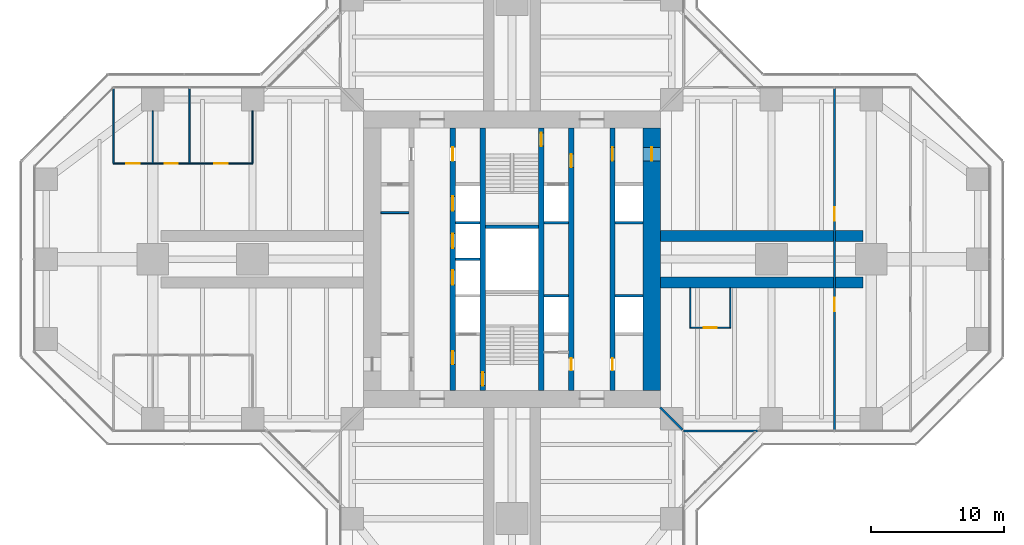
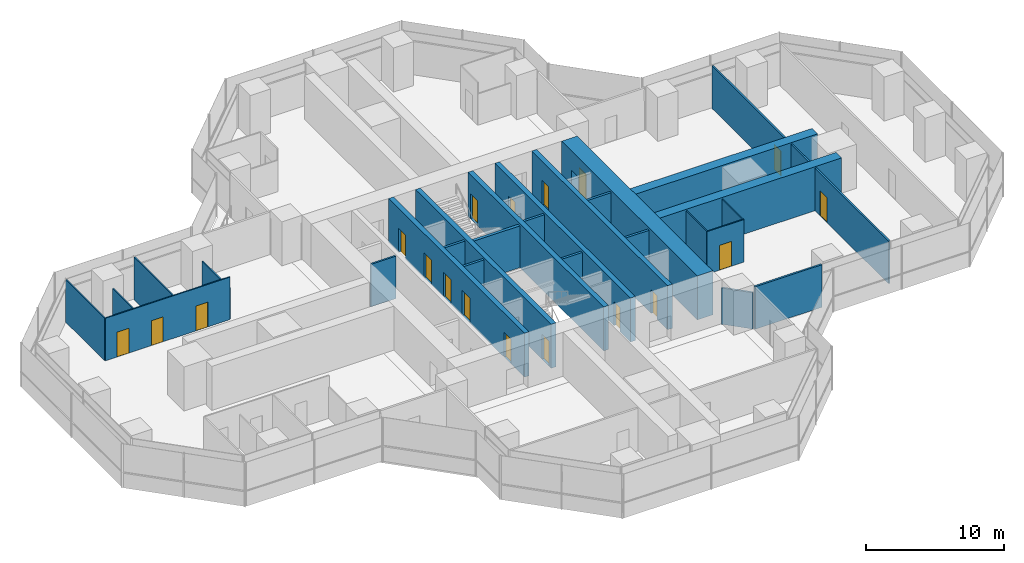
# One storey, part 16 of 20: 27 walls, 18 doors, 18 openings.
"""IFC4 building model written with IfcOpenShell, lengths in metres."""

import ifcopenshell
import ifcopenshell.guid

model = None  # the IFC model being written
_history = None  # IfcOwnerHistory: only IFC2X3 demands one
_inside = {}  # id of a spatial element -> (the spatial element, [elements in it])
_under = {}  # id of a project, library or spatial element -> (it, [spatial elements below it])
_declared = {}  # id of a project -> (the project, [libraries it declares])
_typed = {}  # id of a type object -> (the type object, [elements of that type])
_made_of = {}  # id of a material, layer set ... -> (it, [elements and type objects made of it])


def new_model(schema):
    """Start an empty IFC model of exactly this schema.

    Asked for "IFC4X3", IfcOpenShell would pick the latest addendum, in which some entities
    have other attributes; the version numbers below select the first issue.
    IFC2X3 requires an IfcOwnerHistory on every rooted entity: one is made here for all.
    """
    global model, _history
    if schema == "IFC4X3":
        model = ifcopenshell.file(schema_version=(4, 3, 0, 0))
    else:
        model = ifcopenshell.file(schema=schema)
    _inside.clear()
    _under.clear()
    _declared.clear()
    _typed.clear()
    _made_of.clear()
    _history = None
    if model.schema == "IFC2X3":
        org = make("IfcOrganization", Name="unknown")
        user = make(
            "IfcPersonAndOrganization",
            ThePerson=make("IfcPerson", FamilyName="unknown"),
            TheOrganization=org,
        )
        app = make(
            "IfcApplication",
            ApplicationDeveloper=org,
            Version="unknown",
            ApplicationFullName="unknown",
            ApplicationIdentifier="unknown",
        )
        _history = make(
            "IfcOwnerHistory",
            OwningUser=user,
            OwningApplication=app,
            ChangeAction="ADDED",
            CreationDate=0,
        )
    return model


def make(cls, **values):
    """One entity of the class cls with the attributes given. An attribute that is None is left unset."""
    return model.create_entity(
        cls, **{name: value for name, value in values.items() if value is not None}
    )


def rooted(cls, **values):
    """An entity with a GlobalId (a new one), such as an element, a storey or a relation."""
    return make(cls, GlobalId=ifcopenshell.guid.new(), OwnerHistory=_history, **values)


def si_unit(unit_type, name, prefix=None):
    """IfcSIUnit, for example si_unit("LENGTHUNIT", "METRE", prefix="MILLI")."""
    return make("IfcSIUnit", UnitType=unit_type, Prefix=prefix, Name=name)


def assignment(units):
    """IfcUnitAssignment: the units of a project."""
    return None if units is None else make("IfcUnitAssignment", Units=units)


def point(xyz):
    """IfcCartesianPoint."""
    return None if xyz is None else make("IfcCartesianPoint", Coordinates=xyz)


def direction(xyz):
    """IfcDirection."""
    return None if xyz is None else make("IfcDirection", DirectionRatios=xyz)


def frame(location, z_axis=None, x_axis=None):
    """IfcAxis2Placement3D, a coordinate frame: its origin and axes. An axis left out is left unset."""
    return make(
        "IfcAxis2Placement3D",
        Location=point(location),
        Axis=direction(z_axis),
        RefDirection=direction(x_axis),
    )


def frame_2d(location, x_axis=None):
    """IfcAxis2Placement2D, a coordinate frame in the plane: its origin and x axis."""
    return make(
        "IfcAxis2Placement2D", Location=point(location), RefDirection=direction(x_axis)
    )


def origin():
    """The frame at (0, 0, 0) with its axes left unset."""
    return frame((0.0, 0.0, 0.0))


def place(relative_to, where):
    """IfcLocalPlacement: puts the frame where relative to a parent placement (None: the world)."""
    return make(
        "IfcLocalPlacement", PlacementRelTo=relative_to, RelativePlacement=where
    )


def context(
    kind, dimensions, precision=None, world=None, true_north=None, identifier=None
):
    """IfcGeometricRepresentationContext, for example the 3D "Model" context."""
    return make(
        "IfcGeometricRepresentationContext",
        ContextIdentifier=identifier,
        ContextType=kind,
        CoordinateSpaceDimension=dimensions,
        Precision=precision,
        WorldCoordinateSystem=world,
        TrueNorth=true_north,
    )


def subcontext(parent, identifier, kind, view, scale=None):
    """IfcGeometricRepresentationSubContext, for example "Body" below "Model"."""
    return make(
        "IfcGeometricRepresentationSubContext",
        ContextIdentifier=identifier,
        ContextType=kind,
        ParentContext=parent,
        TargetScale=scale,
        TargetView=view,
    )


def project(units=None, contexts=None):
    """IfcProject with its units and contexts."""
    return rooted(
        "IfcProject",
        Name="project",
        RepresentationContexts=contexts,
        UnitsInContext=assignment(units),
    )


def spatial(cls, under=None, at=None, **own):
    """A site, building, storey or space (cls), placed at a placement, below another one or the project."""
    s = rooted(cls, ObjectPlacement=at, **own)
    if under is not None:
        _under.setdefault(under.id(), (under, []))[1].append(s)
    return s


def profile(cls, at=None, kind="AREA", **sizes):
    """A parametric profile (cls). Its sizes go by their IFC names, for example OverallWidth=200.0."""
    return make(cls, ProfileType=kind, Position=at, **sizes)


def rectangle(**sizes):
    """IfcRectangleProfileDef."""
    return profile("IfcRectangleProfileDef", **sizes)


def extrude(swept, where, along, depth):
    """IfcExtrudedAreaSolid: the profile swept, set in the frame where, extruded along a direction by depth."""
    return make(
        "IfcExtrudedAreaSolid",
        SweptArea=swept,
        Position=where,
        ExtrudedDirection=direction(along),
        Depth=depth,
    )


def shape(context_of_items, identifier, shape_type, items):
    """IfcShapeRepresentation: the items that make up one representation, for example the "Body"."""
    return make(
        "IfcShapeRepresentation",
        ContextOfItems=context_of_items,
        RepresentationIdentifier=identifier,
        RepresentationType=shape_type,
        Items=items,
    )


def material(Name=None, Category=None):
    """IfcMaterial."""
    return make("IfcMaterial", Name=Name, Category=Category)


def layer(
    of_material, thickness, ventilated=None, Name=None, Category=None, Priority=None
):
    """IfcMaterialLayer: one layer of a wall or slab, of a material (None: an air gap)."""
    return make(
        "IfcMaterialLayer",
        Material=of_material,
        LayerThickness=thickness,
        IsVentilated=ventilated,
        Name=Name,
        Category=Category,
        Priority=Priority,
    )


def layer_set(layers, Name=None):
    """IfcMaterialLayerSet."""
    return make("IfcMaterialLayerSet", MaterialLayers=layers, LayerSetName=Name)


def made_of(thing, what):
    """Note that an element or type object is made of a material, layer set ...; save() writes the relation."""
    if what is not None:
        _made_of.setdefault(what.id(), (what, []))[1].append(thing)
    return thing


def type_object(cls, material=None, **own):
    """A type object (cls), such as IfcWallType, which elements share."""
    return made_of(rooted(cls, **own), material)


def element(
    cls,
    number,
    at=None,
    inside=None,
    cuts=None,
    type_object=None,
    material=None,
    context=None,
    identifier="Body",
    shape_type=None,
    held_by="IfcProductDefinitionShape",
    body=None,
    shapes=None,
    **own,
):
    """One element of the class cls, such as IfcWall. Its Tag is "e" and its number.

    at: its placement. inside: the storey or other place that contains it. cuts: it is an
    opening in that element (IfcRelVoidsElement). A single representation is given by context,
    identifier, shape_type and body (its items); several are given by shapes. held_by: the class
    of the entity that holds the representations. save() writes the other relations.
    """
    e = rooted(cls, Tag="e%d" % number, ObjectPlacement=at, **own)
    if body is not None:
        shapes = [shape(context, identifier, shape_type, body)]
    if shapes is not None:
        e.Representation = make(held_by, Representations=shapes)
    if inside is not None:
        _inside.setdefault(inside.id(), (inside, []))[1].append(e)
    if cuts is not None:
        rooted(
            "IfcRelVoidsElement", RelatingBuildingElement=cuts, RelatedOpeningElement=e
        )
    if type_object is not None:
        _typed.setdefault(type_object.id(), (type_object, []))[1].append(e)
    return made_of(e, material)


def fill(opening, filler):
    """IfcRelFillsElement: the door or window that sits in an opening."""
    return rooted(
        "IfcRelFillsElement",
        RelatingOpeningElement=opening,
        RelatedBuildingElement=filler,
    )


def aggregate(whole, parts):
    """IfcRelAggregates: a whole, such as a stair, and the parts it consists of."""
    return rooted("IfcRelAggregates", RelatingObject=whole, RelatedObjects=parts)


def save(model, path):
    """Write the relations noted so far, then the file.

    IfcRelAggregates (storeys below a building ...), IfcRelContainedInSpatialStructure (elements
    in a storey), IfcRelDefinesByType, IfcRelAssociatesMaterial and IfcRelDeclares: one each for
    every whole, place, type object, material and project.
    """
    for whole, parts in _under.values():
        aggregate(whole, parts)
    for where, things in _inside.values():
        rooted(
            "IfcRelContainedInSpatialStructure",
            RelatedElements=things,
            RelatingStructure=where,
        )
    for kind, things in _typed.values():
        rooted("IfcRelDefinesByType", RelatedObjects=things, RelatingType=kind)
    for what, things in _made_of.values():
        rooted("IfcRelAssociatesMaterial", RelatedObjects=things, RelatingMaterial=what)
    for by, libraries in _declared.values():
        rooted("IfcRelDeclares", RelatingContext=by, RelatedDefinitions=libraries)
    model.write(path)


model = new_model("IFC4")

# Units and contexts
model_context = context("Model", 3, precision=1e-05, world=origin(), true_north=direction((0.0, 1.0)))
body_context = subcontext(model_context, "Body", "Model", "MODEL_VIEW")
ifc_project = project(units=[si_unit("LENGTHUNIT", "METRE"), si_unit("AREAUNIT", "SQUARE_METRE"), si_unit("VOLUMEUNIT", "CUBIC_METRE"), si_unit("PLANEANGLEUNIT", "RADIAN"), si_unit("MASSUNIT", "GRAM", prefix="KILO")], contexts=[model_context])

# Site, building, storey
site_placement = place(None, origin())
site = spatial("IfcSite", under=ifc_project, at=site_placement, CompositionType="ELEMENT")
building_placement = place(site_placement, origin())
building = spatial("IfcBuilding", under=site, at=building_placement, Name="Mizan Broadcast Tower", CompositionType="ELEMENT")
storey_placement = place(building_placement, frame((0.0, 0.0, 178.800048828125)))
storey = spatial("IfcBuildingStorey", under=building, at=storey_placement, Name="L41", CompositionType="ELEMENT", Elevation=178.800048828125)

# Wall, openings, doors
ifc_material_1 = material(Name="Concrete C70/85", Category="concrete")
ifc_layer_1 = layer(ifc_material_1, 0.39990234375)
ifc_layer_set_1 = layer_set([ifc_layer_1], Name="Concrete C70/85")
wall_type_1 = type_object("IfcWallType", Name="CORE INTERNAL WALL 400", PredefinedType="SHEAR", material=ifc_layer_set_1)
wall_1_placement = place(storey_placement, frame((7.550048828125, 9.85009765625, 0.0), z_axis=(0.0, 0.0, 1.0), x_axis=(0.0, -1.0, 0.0)))
wall_1 = element("IfcWall", 1, at=wall_1_placement, inside=storey, type_object=wall_type_1, Name="Core wall CORE/XW1E", PredefinedType="SHEAR", context=body_context, shape_type="SweptSolid", body=[
    extrude(rectangle(XDim=19.7001953125, YDim=0.39990234375, at=frame_2d((9.85009765625, 0.0))), origin(), (0.0, 0.0, 1.0), 3.89990234375),
])
opening_1_placement = place(wall_1_placement, frame((1.449951171875, 0.0, 0.0)))
opening_1 = element("IfcOpeningElement", 2, at=opening_1_placement, cuts=wall_1, Name="Opening D10F", PredefinedType="OPENING", context=body_context, shape_type="SweptSolid", body=[
    extrude(rectangle(XDim=1.0, YDim=2.199951171875, at=frame_2d((0.5, 1.10009765625))), frame((0.0, 0.2099609375, 0.0), z_axis=(0.0, -1.0, 0.0), x_axis=(1.0, 0.0, 0.0)), (0.0, 0.0, 1.0), 0.419921875),
])
opening_2_placement = place(wall_1_placement, frame((17.300048828125, 0.0, 0.0)))
opening_2 = element("IfcOpeningElement", 3, at=opening_2_placement, cuts=wall_1, Name="Opening D09", PredefinedType="OPENING", context=body_context, shape_type="SweptSolid", body=[
    extrude(rectangle(XDim=0.89990234375, YDim=2.10009765625, at=frame_2d((0.449951171875, 1.050048828125))), frame((0.0, 0.2099609375, 0.0), z_axis=(0.0, -1.0, 0.0), x_axis=(1.0, 0.0, 0.0)), (0.0, 0.0, 1.0), 0.419921875),
])
ifc_material_2 = material(Name="Steel door leaf in steel frame", Category="steel")
door_type_1 = type_object("IfcDoorType", Name="FIRE DOOR 1000 FD90", OperationType="SINGLE_SWING_LEFT", PredefinedType="DOOR", material=ifc_material_2)
door_1_placement = place(opening_1_placement, origin())
door_1 = element("IfcDoor", 4, at=door_1_placement, inside=storey, type_object=door_type_1, Name="East core passage door", OperationType="SINGLE_SWING_LEFT", OverallHeight=2.199951171875, OverallWidth=1.0, PredefinedType="DOOR", context=body_context, shape_type="SweptSolid", body=[
    extrude(rectangle(XDim=1.0, YDim=2.199951171875, at=frame_2d((0.5, 1.10009765625))), frame((0.0, 0.02490234375, 0.0), z_axis=(0.0, -1.0, 0.0), x_axis=(1.0, 0.0, 0.0)), (0.0, 0.0, 1.0), 0.050048828125),
])
fill(opening_1, door_1)
ifc_material_3 = material(Name="Timber door leaf in aluminium frame", Category="wood")
door_type_2 = type_object("IfcDoorType", Name="TOILET DOOR 900", OperationType="SINGLE_SWING_LEFT", PredefinedType="DOOR", material=ifc_material_3)
door_2_placement = place(opening_2_placement, origin())
door_2 = element("IfcDoor", 5, at=door_2_placement, inside=storey, type_object=door_type_2, Name="Female WC door", OperationType="SINGLE_SWING_RIGHT", OverallHeight=2.10009765625, OverallWidth=0.89990234375, PredefinedType="DOOR", context=body_context, shape_type="SweptSolid", body=[
    extrude(rectangle(XDim=0.89990234375, YDim=2.10009765625, at=frame_2d((0.449951171875, 1.050048828125))), frame((0.0, 0.02490234375, 0.0), z_axis=(0.0, -1.0, 0.0), x_axis=(1.0, 0.0, 0.0)), (0.0, 0.0, 1.0), 0.050048828125),
])
fill(opening_2, door_2)

wall_2_placement = place(storey_placement, frame((-4.449951171875, -9.85009765625, 0.0), z_axis=(0.0, 0.0, 1.0), x_axis=(0.0, 1.0, 0.0)))
wall_2 = element("IfcWall", 6, at=wall_2_placement, inside=storey, type_object=wall_type_1, Name="Core wall CORE/XWH", PredefinedType="SHEAR", context=body_context, shape_type="SweptSolid", body=[
    extrude(rectangle(XDim=19.7001953125, YDim=0.39990234375, at=frame_2d((9.85009765625, 0.0))), origin(), (0.0, 0.0, 1.0), 3.89990234375),
])
opening_3_placement = place(wall_2_placement, frame((1.949951171875, 0.0, 0.0)))
opening_3 = element("IfcOpeningElement", 7, at=opening_3_placement, cuts=wall_2, Name="Opening D10F", PredefinedType="OPENING", context=body_context, shape_type="SweptSolid", body=[
    extrude(rectangle(XDim=1.0, YDim=2.199951171875, at=frame_2d((0.5, 1.10009765625))), frame((0.0, 0.2099609375, 0.0), z_axis=(0.0, -1.0, 0.0), x_axis=(1.0, 0.0, 0.0)), (0.0, 0.0, 1.0), 0.419921875),
])
opening_4_placement = place(wall_2_placement, frame((17.25, 0.0, 0.0)))
opening_4 = element("IfcOpeningElement", 8, at=opening_4_placement, cuts=wall_2, Name="Opening D10A", PredefinedType="OPENING", context=body_context, shape_type="SweptSolid", body=[
    extrude(rectangle(XDim=1.0, YDim=2.10009765625, at=frame_2d((0.5, 1.050048828125))), frame((0.0, 0.2099609375, 0.0), z_axis=(0.0, -1.0, 0.0), x_axis=(1.0, 0.0, 0.0)), (0.0, 0.0, 1.0), 0.419921875),
])
opening_5_placement = place(wall_2_placement, frame((7.925048828125, 0.0, 0.0)))
opening_5 = element("IfcOpeningElement", 9, at=opening_5_placement, cuts=wall_2, Name="Opening LD", PredefinedType="OPENING", context=body_context, shape_type="SweptSolid", body=[
    extrude(rectangle(XDim=1.10009765625, YDim=2.199951171875, at=frame_2d((0.550048828125, 1.10009765625))), frame((0.0, 0.2099609375, 0.0), z_axis=(0.0, -1.0, 0.0), x_axis=(1.0, 0.0, 0.0)), (0.0, 0.0, 1.0), 0.419921875),
])
opening_6_placement = place(wall_2_placement, frame((10.675048828125, 0.0, 0.0)))
opening_6 = element("IfcOpeningElement", 10, at=opening_6_placement, cuts=wall_2, Name="Opening LD", PredefinedType="OPENING", context=body_context, shape_type="SweptSolid", body=[
    extrude(rectangle(XDim=1.10009765625, YDim=2.199951171875, at=frame_2d((0.550048828125, 1.10009765625))), frame((0.0, 0.2099609375, 0.0), z_axis=(0.0, -1.0, 0.0), x_axis=(1.0, 0.0, 0.0)), (0.0, 0.0, 1.0), 0.419921875),
])
opening_7_placement = place(wall_2_placement, frame((13.47509765625, 0.0, 0.0)))
opening_7 = element("IfcOpeningElement", 11, at=opening_7_placement, cuts=wall_2, Name="Opening LD", PredefinedType="OPENING", context=body_context, shape_type="SweptSolid", body=[
    extrude(rectangle(XDim=1.10009765625, YDim=2.199951171875, at=frame_2d((0.550048828125, 1.10009765625))), frame((0.0, 0.2099609375, 0.0), z_axis=(0.0, -1.0, 0.0), x_axis=(1.0, 0.0, 0.0)), (0.0, 0.0, 1.0), 0.419921875),
])
ifc_material_4 = material(Name="Timber door leaf in aluminium frame", Category="wood")
door_type_3 = type_object("IfcDoorType", Name="ACCESSIBLE WC DOOR 1000", OperationType="SLIDING_TO_LEFT", PredefinedType="DOOR", material=ifc_material_4)
door_3_placement = place(opening_4_placement, origin())
door_3 = element("IfcDoor", 12, at=door_3_placement, inside=storey, type_object=door_type_3, Name="Accessible WC door", OperationType="SLIDING_TO_LEFT", OverallHeight=2.10009765625, OverallWidth=1.0, PredefinedType="DOOR", context=body_context, shape_type="SweptSolid", body=[
    extrude(rectangle(XDim=1.0, YDim=2.10009765625, at=frame_2d((0.5, 1.050048828125))), frame((0.0, 0.02490234375, 0.0), z_axis=(0.0, -1.0, 0.0), x_axis=(1.0, 0.0, 0.0)), (0.0, 0.0, 1.0), 0.050048828125),
])
fill(opening_4, door_3)
door_4_placement = place(opening_3_placement, origin())
door_4 = element("IfcDoor", 13, at=door_4_placement, inside=storey, type_object=door_type_1, Name="Firefighting lobby A door", OperationType="SINGLE_SWING_LEFT", OverallHeight=2.199951171875, OverallWidth=1.0, PredefinedType="DOOR", context=body_context, shape_type="SweptSolid", body=[
    extrude(rectangle(XDim=1.0, YDim=2.199951171875, at=frame_2d((0.5, 1.10009765625))), frame((0.0, 0.02490234375, 0.0), z_axis=(0.0, -1.0, 0.0), x_axis=(1.0, 0.0, 0.0)), (0.0, 0.0, 1.0), 0.050048828125),
])
fill(opening_3, door_4)
ifc_material_5 = material(Name="Steel door leaf in steel frame", Category="steel")
door_type_4 = type_object("IfcDoorType", Name="LIFT LANDING DOOR 1100", OperationType="SLIDING_TO_LEFT", PredefinedType="DOOR", material=ifc_material_5)
door_5_placement = place(opening_5_placement, origin())
door_5 = element("IfcDoor", 14, at=door_5_placement, inside=storey, type_object=door_type_4, Name="Landing door LB1", OperationType="SLIDING_TO_LEFT", OverallHeight=2.199951171875, OverallWidth=1.10009765625, PredefinedType="DOOR", context=body_context, shape_type="SweptSolid", body=[
    extrude(rectangle(XDim=1.10009765625, YDim=2.199951171875, at=frame_2d((0.550048828125, 1.10009765625))), frame((0.0, 0.02490234375, 0.0), z_axis=(0.0, -1.0, 0.0), x_axis=(1.0, 0.0, 0.0)), (0.0, 0.0, 1.0), 0.050048828125),
])
fill(opening_5, door_5)
door_6_placement = place(opening_6_placement, origin())
door_6 = element("IfcDoor", 15, at=door_6_placement, inside=storey, type_object=door_type_4, Name="Landing door LB2", OperationType="SLIDING_TO_LEFT", OverallHeight=2.199951171875, OverallWidth=1.10009765625, PredefinedType="DOOR", context=body_context, shape_type="SweptSolid", body=[
    extrude(rectangle(XDim=1.10009765625, YDim=2.199951171875, at=frame_2d((0.550048828125, 1.10009765625))), frame((0.0, 0.02490234375, 0.0), z_axis=(0.0, -1.0, 0.0), x_axis=(1.0, 0.0, 0.0)), (0.0, 0.0, 1.0), 0.050048828125),
])
fill(opening_6, door_6)
door_7_placement = place(opening_7_placement, origin())
door_7 = element("IfcDoor", 16, at=door_7_placement, inside=storey, type_object=door_type_4, Name="Landing door LB3", OperationType="SLIDING_TO_LEFT", OverallHeight=2.199951171875, OverallWidth=1.10009765625, PredefinedType="DOOR", context=body_context, shape_type="SweptSolid", body=[
    extrude(rectangle(XDim=1.10009765625, YDim=2.199951171875, at=frame_2d((0.550048828125, 1.10009765625))), frame((0.0, 0.02490234375, 0.0), z_axis=(0.0, -1.0, 0.0), x_axis=(1.0, 0.0, 0.0)), (0.0, 0.0, 1.0), 0.050048828125),
])
fill(opening_7, door_7)

wall_3_placement = place(storey_placement, frame((4.449951171875, 9.85009765625, 0.0), z_axis=(0.0, 0.0, 1.0), x_axis=(0.0, -1.0, 0.0)))
wall_3 = element("IfcWall", 17, at=wall_3_placement, inside=storey, type_object=wall_type_1, Name="Core wall CORE/XWHE", PredefinedType="SHEAR", context=body_context, shape_type="SweptSolid", body=[
    extrude(rectangle(XDim=19.7001953125, YDim=0.39990234375, at=frame_2d((9.85009765625, 0.0))), origin(), (0.0, 0.0, 1.0), 3.89990234375),
])
opening_8_placement = place(wall_3_placement, frame((1.949951171875, 0.0, 0.0)))
opening_8 = element("IfcOpeningElement", 18, at=opening_8_placement, cuts=wall_3, Name="Opening D10F", PredefinedType="OPENING", context=body_context, shape_type="SweptSolid", body=[
    extrude(rectangle(XDim=1.0, YDim=2.199951171875, at=frame_2d((0.5, 1.10009765625))), frame((0.0, 0.2099609375, 0.0), z_axis=(0.0, -1.0, 0.0), x_axis=(1.0, 0.0, 0.0)), (0.0, 0.0, 1.0), 0.419921875),
])
opening_9_placement = place(wall_3_placement, frame((17.300048828125, 0.0, 0.0)))
opening_9 = element("IfcOpeningElement", 19, at=opening_9_placement, cuts=wall_3, Name="Opening D09", PredefinedType="OPENING", context=body_context, shape_type="SweptSolid", body=[
    extrude(rectangle(XDim=0.89990234375, YDim=2.10009765625, at=frame_2d((0.449951171875, 1.050048828125))), frame((0.0, 0.2099609375, 0.0), z_axis=(0.0, -1.0, 0.0), x_axis=(1.0, 0.0, 0.0)), (0.0, 0.0, 1.0), 0.419921875),
])
door_8_placement = place(opening_8_placement, origin())
door_8 = element("IfcDoor", 20, at=door_8_placement, inside=storey, type_object=door_type_1, Name="Firefighting lobby B door", OperationType="SINGLE_SWING_LEFT", OverallHeight=2.199951171875, OverallWidth=1.0, PredefinedType="DOOR", context=body_context, shape_type="SweptSolid", body=[
    extrude(rectangle(XDim=1.0, YDim=2.199951171875, at=frame_2d((0.5, 1.10009765625))), frame((0.0, 0.02490234375, 0.0), z_axis=(0.0, -1.0, 0.0), x_axis=(1.0, 0.0, 0.0)), (0.0, 0.0, 1.0), 0.050048828125),
])
fill(opening_8, door_8)
door_9_placement = place(opening_9_placement, origin())
door_9 = element("IfcDoor", 21, at=door_9_placement, inside=storey, type_object=door_type_2, Name="Cleaner's store door", OperationType="SINGLE_SWING_RIGHT", OverallHeight=2.10009765625, OverallWidth=0.89990234375, PredefinedType="DOOR", context=body_context, shape_type="SweptSolid", body=[
    extrude(rectangle(XDim=0.89990234375, YDim=2.10009765625, at=frame_2d((0.449951171875, 1.050048828125))), frame((0.0, 0.02490234375, 0.0), z_axis=(0.0, -1.0, 0.0), x_axis=(1.0, 0.0, 0.0)), (0.0, 0.0, 1.0), 0.050048828125),
])
fill(opening_9, door_9)

# Wall, opening, door
wall_4_placement = place(storey_placement, frame((-2.199951171875, -9.85009765625, 0.0), z_axis=(0.0, 0.0, 1.0), x_axis=(0.0, 1.0, 0.0)))
wall_4 = element("IfcWall", 22, at=wall_4_placement, inside=storey, type_object=wall_type_1, Name="Core wall CORE/XW2", PredefinedType="SHEAR", context=body_context, shape_type="SweptSolid", body=[
    extrude(rectangle(XDim=19.7001953125, YDim=0.39990234375, at=frame_2d((9.85009765625, 0.0))), origin(), (0.0, 0.0, 1.0), 3.89990234375),
])
opening_10_placement = place(wall_4_placement, frame((0.35009765625, 0.0, 0.0)))
opening_10 = element("IfcOpeningElement", 23, at=opening_10_placement, cuts=wall_4, Name="Opening D10S", PredefinedType="OPENING", context=body_context, shape_type="SweptSolid", body=[
    extrude(rectangle(XDim=1.0, YDim=2.199951171875, at=frame_2d((0.5, 1.10009765625))), frame((0.0, 0.2099609375, 0.0), z_axis=(0.0, -1.0, 0.0), x_axis=(1.0, 0.0, 0.0)), (0.0, 0.0, 1.0), 0.419921875),
])
ifc_material_6 = material(Name="Steel door leaf in steel frame", Category="steel")
door_type_5 = type_object("IfcDoorType", Name="STAIR DOOR 1000 FD90S", OperationType="SINGLE_SWING_RIGHT", PredefinedType="DOOR", material=ifc_material_6)
door_10_placement = place(opening_10_placement, origin())
door_10 = element("IfcDoor", 24, at=door_10_placement, inside=storey, type_object=door_type_5, Name="Stair A door", OperationType="SINGLE_SWING_RIGHT", OverallHeight=2.199951171875, OverallWidth=1.0, PredefinedType="DOOR", context=body_context, shape_type="SweptSolid", body=[
    extrude(rectangle(XDim=1.0, YDim=2.199951171875, at=frame_2d((0.5, 1.10009765625))), frame((0.0, 0.02490234375, 0.0), z_axis=(0.0, -1.0, 0.0), x_axis=(1.0, 0.0, 0.0)), (0.0, 0.0, 1.0), 0.050048828125),
])
fill(opening_10, door_10)

wall_5_placement = place(storey_placement, frame((2.199951171875, 9.85009765625, 0.0), z_axis=(0.0, 0.0, 1.0), x_axis=(0.0, -1.0, 0.0)))
wall_5 = element("IfcWall", 25, at=wall_5_placement, inside=storey, type_object=wall_type_1, Name="Core wall CORE/XW2E", PredefinedType="SHEAR", context=body_context, shape_type="SweptSolid", body=[
    extrude(rectangle(XDim=19.7001953125, YDim=0.39990234375, at=frame_2d((9.85009765625, 0.0))), origin(), (0.0, 0.0, 1.0), 3.89990234375),
])
opening_11_placement = place(wall_5_placement, frame((0.35009765625, 0.0, 0.0)))
opening_11 = element("IfcOpeningElement", 26, at=opening_11_placement, cuts=wall_5, Name="Opening D10S", PredefinedType="OPENING", context=body_context, shape_type="SweptSolid", body=[
    extrude(rectangle(XDim=1.0, YDim=2.199951171875, at=frame_2d((0.5, 1.10009765625))), frame((0.0, 0.2099609375, 0.0), z_axis=(0.0, -1.0, 0.0), x_axis=(1.0, 0.0, 0.0)), (0.0, 0.0, 1.0), 0.419921875),
])
door_11_placement = place(opening_11_placement, origin())
door_11 = element("IfcDoor", 27, at=door_11_placement, inside=storey, type_object=door_type_5, Name="Stair B door", OperationType="SINGLE_SWING_RIGHT", OverallHeight=2.199951171875, OverallWidth=1.0, PredefinedType="DOOR", context=body_context, shape_type="SweptSolid", body=[
    extrude(rectangle(XDim=1.0, YDim=2.199951171875, at=frame_2d((0.5, 1.10009765625))), frame((0.0, 0.02490234375, 0.0), z_axis=(0.0, -1.0, 0.0), x_axis=(1.0, 0.0, 0.0)), (0.0, 0.0, 1.0), 0.050048828125),
])
fill(opening_11, door_11)

# Wall
ifc_material_7 = material(Name="Concrete blockwork", Category="masonry")
ifc_layer_2 = layer(ifc_material_7, 0.14990234375)
ifc_layer_set_2 = layer_set([ifc_layer_2], Name="Concrete blockwork")
wall_type_2 = type_object("IfcWallType", Name="CORE PARTITION 150", PredefinedType="SOLIDWALL", material=ifc_layer_set_2)
wall_6_placement = place(storey_placement, frame((-9.85009765625, 3.5, 0.0), z_axis=(0.0, 0.0, 1.0), x_axis=(1.0, 0.0, 0.0)))
element("IfcWall", 28, at=wall_6_placement, inside=storey, type_object=wall_type_2, Name="Core partition CORE/XP1", PredefinedType="SOLIDWALL", context=body_context, shape_type="SweptSolid", body=[
    extrude(rectangle(XDim=2.10009765625, YDim=0.14990234375, at=frame_2d((1.050048828125, 0.0))), origin(), (0.0, 0.0, 1.0), 3.77001953125),
])

# Wall, opening, door
ifc_material_8 = material(Name="Concrete C70/85", Category="concrete")
ifc_layer_3 = layer(ifc_material_8, 1.300048828125)
ifc_layer_set_3 = layer_set([ifc_layer_3], Name="Concrete C70/85")
wall_type_3 = type_object("IfcWallType", Name="CORE WALL 1300", PredefinedType="SHEAR", material=ifc_layer_set_3)
wall_7_placement = place(storey_placement, frame((10.5, -9.85009765625, 0.0), z_axis=(0.0, 0.0, 1.0), x_axis=(0.0, 1.0, 0.0)))
wall_7 = element("IfcWall", 29, at=wall_7_placement, inside=storey, type_object=wall_type_3, Name="Core wall E L41", PredefinedType="SHEAR", context=body_context, shape_type="SweptSolid", body=[
    extrude(rectangle(XDim=19.7001953125, YDim=1.300048828125, at=frame_2d((9.85009765625, 0.0))), origin(), (0.0, 0.0, 1.0), 3.89990234375),
])
opening_12_placement = place(wall_7_placement, frame((17.25, 0.0, 0.0)))
opening_12 = element("IfcOpeningElement", 30, at=opening_12_placement, cuts=wall_7, Name="Opening D10F", PredefinedType="OPENING", context=body_context, shape_type="SweptSolid", body=[
    extrude(rectangle(XDim=1.0, YDim=2.199951171875, at=frame_2d((0.5, 1.10009765625))), frame((0.0, 0.659912109375, 0.0), z_axis=(0.0, -1.0, 0.0), x_axis=(1.0, 0.0, 0.0)), (0.0, 0.0, 1.0), 1.320068359375),
])
door_12_placement = place(opening_12_placement, origin())
door_12 = element("IfcDoor", 31, at=door_12_placement, inside=storey, type_object=door_type_1, Name="East core passage arm door", OperationType="SINGLE_SWING_RIGHT", OverallHeight=2.199951171875, OverallWidth=1.0, PredefinedType="DOOR", context=body_context, shape_type="SweptSolid", body=[
    extrude(rectangle(XDim=1.0, YDim=2.199951171875, at=frame_2d((0.5, 1.10009765625))), frame((0.0, 0.02490234375, 0.0), z_axis=(0.0, -1.0, 0.0), x_axis=(1.0, 0.0, 0.0)), (0.0, 0.0, 1.0), 0.050048828125),
])
fill(opening_12, door_12)

# Walls
ifc_material_9 = material(Name="Aluminium framed glazed screen", Category="aluminium")
ifc_layer_4 = layer(ifc_material_9, 0.159912109375)
ifc_layer_set_4 = layer_set([ifc_layer_4], Name="Aluminium framed glazed screen")
wall_type_4 = type_object("IfcWallType", Name="GLAZED SCREEN WALL 160", PredefinedType="SOLIDWALL", material=ifc_layer_set_4)
wall_8_placement = place(storey_placement, frame((12.89990234375, -12.89990234375, 0.0), z_axis=(0.0, 0.0, 1.0), x_axis=(1.0, 0.0, 0.0)))
element("IfcWall", 32, at=wall_8_placement, inside=storey, type_object=wall_type_4, Name="Winter garden screen L41 E", PredefinedType="SOLIDWALL", context=body_context, shape_type="SweptSolid", body=[
    extrude(rectangle(XDim=5.60009765625, YDim=0.159912109375, at=frame_2d((2.800048828125, 0.0))), origin(), (0.0, 0.0, 1.0), 3.77001953125),
])
ifc_material_10 = material(Name="Concrete blockwork", Category="masonry")
ifc_layer_5 = layer(ifc_material_10, 0.199951171875)
ifc_layer_set_5 = layer_set([ifc_layer_5], Name="Concrete blockwork")
wall_type_5 = type_object("IfcWallType", Name="LIFT SHAFT WALL 200", PredefinedType="SOLIDWALL", material=ifc_layer_set_5)
wall_9_placement = place(storey_placement, frame((2.39990234375, -2.75, 0.0), z_axis=(0.0, 0.0, 1.0), x_axis=(1.0, 0.0, 0.0)))
element("IfcWall", 33, at=wall_9_placement, inside=storey, type_object=wall_type_5, Name="Lift shaft wall CORE/SE2-1", PredefinedType="SOLIDWALL", context=body_context, shape_type="SweptSolid", body=[
    extrude(rectangle(XDim=1.85009765625, YDim=0.199951171875, at=frame_2d((0.925048828125, 0.0))), origin(), (0.0, 0.0, 1.0), 3.699951171875),
])
wall_10_placement = place(storey_placement, frame((7.75, -2.75, 0.0), z_axis=(0.0, 0.0, 1.0), x_axis=(1.0, 0.0, 0.0)))
element("IfcWall", 34, at=wall_10_placement, inside=storey, type_object=wall_type_5, Name="Lift shaft wall CORE/SE1-1", PredefinedType="SOLIDWALL", context=body_context, shape_type="SweptSolid", body=[
    extrude(rectangle(XDim=2.10009765625, YDim=0.199951171875, at=frame_2d((1.050048828125, 0.0))), origin(), (0.0, 0.0, 1.0), 3.699951171875),
])
for number, where, z_axis, x_axis, name in (
    (35, (-4.25, 0.0, 0.0), (0.0, 0.0, 1.0), (1.0, 0.0, 0.0), "Lift shaft wall CORE/SW2-2"),
    (36, (-4.25, 2.75, 0.0), (0.0, 0.0, 1.0), (1.0, 0.0, 0.0), "Lift shaft wall CORE/SW2-3"),
    (37, (2.39990234375, 2.75, 0.0), (0.0, 0.0, 1.0), (1.0, 0.0, 0.0), "Lift shaft wall CORE/SE2-3"),
):
    element("IfcWall", number, at=place(storey_placement, frame(where, z_axis=z_axis, x_axis=x_axis)), inside=storey, type_object=wall_type_5, Name=name, PredefinedType="SOLIDWALL", context=body_context, shape_type="SweptSolid", body=[
        extrude(rectangle(XDim=1.85009765625, YDim=0.199951171875, at=frame_2d((0.925048828125, 0.0))), origin(), (0.0, 0.0, 1.0), 3.699951171875),
    ])
wall_11_placement = place(storey_placement, frame((7.75, 2.75, 0.0), z_axis=(0.0, 0.0, 1.0), x_axis=(1.0, 0.0, 0.0)))
element("IfcWall", 38, at=wall_11_placement, inside=storey, type_object=wall_type_5, Name="Lift shaft wall CORE/SE1-3", PredefinedType="SOLIDWALL", context=body_context, shape_type="SweptSolid", body=[
    extrude(rectangle(XDim=2.10009765625, YDim=0.199951171875, at=frame_2d((1.050048828125, 0.0))), origin(), (0.0, 0.0, 1.0), 3.699951171875),
])
ifc_material_11 = material(Name="Concrete blockwork", Category="masonry")
ifc_layer_6 = layer(ifc_material_11, 0.25)
ifc_layer_set_6 = layer_set([ifc_layer_6], Name="Concrete blockwork")
wall_type_6 = type_object("IfcWallType", Name="LOBBY ENCLOSURE WALL 250", PredefinedType="SOLIDWALL", material=ifc_layer_set_6)
wall_12_placement = place(storey_placement, frame((-2.0, 2.449951171875, 0.0), z_axis=(0.0, 0.0, 1.0), x_axis=(1.0, 0.0, 0.0)))
element("IfcWall", 39, at=wall_12_placement, inside=storey, type_object=wall_type_6, Name="Lobby enclosure wall CORE/STB", PredefinedType="SOLIDWALL", context=body_context, shape_type="SweptSolid", body=[
    extrude(rectangle(XDim=4.0, YDim=0.25, at=frame_2d((2.0, 0.0))), origin(), (0.0, 0.0, 1.0), 3.699951171875),
])

# Wall, openings, doors
ifc_material_12 = material(Name="Gypsum board on steel studs", Category="steel")
ifc_layer_7 = layer(ifc_material_12, 0.14990234375)
ifc_layer_set_7 = layer_set([ifc_layer_7], Name="Gypsum board on steel studs")
wall_type_7 = type_object("IfcWallType", Name="PARTITION 150", PredefinedType="PARTITIONING", material=ifc_layer_set_7)
wall_13_placement = place(storey_placement, frame((24.22900390625, -12.820068359375, 0.0), z_axis=(0.0, 0.0, 1.0), x_axis=(0.0, 1.0, 0.0)))
wall_13 = element("IfcWall", 40, at=wall_13_placement, inside=storey, type_object=wall_type_7, Name="Partition PT/EX1", PredefinedType="PARTITIONING", context=body_context, shape_type="SweptSolid", body=[
    extrude(rectangle(XDim=25.64013671875, YDim=0.14990234375, at=frame_2d((12.820068359375, 0.0))), origin(), (0.0, 0.0, 1.0), 3.77001953125),
])
opening_13_placement = place(wall_13_placement, frame((15.719970703125, 0.0, 0.0)))
opening_13 = element("IfcOpeningElement", 41, at=opening_13_placement, cuts=wall_13, Name="Opening D10", PredefinedType="OPENING", context=body_context, shape_type="SweptSolid", body=[
    extrude(rectangle(XDim=1.0, YDim=2.199951171875, at=frame_2d((0.5, 1.10009765625))), frame((0.0, 0.0849609375, 0.0), z_axis=(0.0, -1.0, 0.0), x_axis=(1.0, 0.0, 0.0)), (0.0, 0.0, 1.0), 0.169921875),
])
opening_14_placement = place(wall_13_placement, frame((8.919921875, 0.0, 0.0)))
opening_14 = element("IfcOpeningElement", 42, at=opening_14_placement, cuts=wall_13, Name="Opening D10", PredefinedType="OPENING", context=body_context, shape_type="SweptSolid", body=[
    extrude(rectangle(XDim=1.0, YDim=2.199951171875, at=frame_2d((0.5, 1.10009765625))), frame((0.0, 0.0849609375, 0.0), z_axis=(0.0, -1.0, 0.0), x_axis=(1.0, 0.0, 0.0)), (0.0, 0.0, 1.0), 0.169921875),
])
ifc_material_13 = material(Name="Timber door leaf in aluminium frame", Category="wood")
door_type_6 = type_object("IfcDoorType", Name="ROOM DOOR 1000", OperationType="SINGLE_SWING_LEFT", PredefinedType="DOOR", material=ifc_material_13)
door_13_placement = place(opening_13_placement, origin())
door_13 = element("IfcDoor", 43, at=door_13_placement, inside=storey, type_object=door_type_6, Name="Press briefing room door", OperationType="SINGLE_SWING_RIGHT", OverallHeight=2.199951171875, OverallWidth=1.0, PredefinedType="DOOR", context=body_context, shape_type="SweptSolid", body=[
    extrude(rectangle(XDim=1.0, YDim=2.199951171875, at=frame_2d((0.5, 1.10009765625))), frame((0.0, 0.02490234375, 0.0), z_axis=(0.0, -1.0, 0.0), x_axis=(1.0, 0.0, 0.0)), (0.0, 0.0, 1.0), 0.050048828125),
])
fill(opening_13, door_13)
door_14_placement = place(opening_14_placement, origin())
door_14 = element("IfcDoor", 44, at=door_14_placement, inside=storey, type_object=door_type_6, Name="Press briefing room door", OperationType="SINGLE_SWING_LEFT", OverallHeight=2.199951171875, OverallWidth=1.0, PredefinedType="DOOR", context=body_context, shape_type="SweptSolid", body=[
    extrude(rectangle(XDim=1.0, YDim=2.199951171875, at=frame_2d((0.5, 1.10009765625))), frame((0.0, 0.02490234375, 0.0), z_axis=(0.0, -1.0, 0.0), x_axis=(1.0, 0.0, 0.0)), (0.0, 0.0, 1.0), 0.050048828125),
])
fill(opening_14, door_14)

# Walls
wall_14_placement = place(storey_placement, frame((11.14990234375, -11.14990234375, 0.0), z_axis=(0.0, 0.0, 1.0), x_axis=(0.707106781187, -0.707106781187, 0.0)))
element("IfcWall", 45, at=wall_14_placement, inside=storey, type_object=wall_type_7, Name="Partition PT/DGES", PredefinedType="PARTITIONING", context=body_context, shape_type="SweptSolid", body=[
    extrude(rectangle(XDim=2.362060546875, YDim=0.14990234375, at=frame_2d((1.18115234375, 0.0))), origin(), (0.0, 0.0, 1.0), 3.219970703125),
])
ifc_material_14 = material(Name="Glazed aluminium partition on aluminium track", Category="aluminium")
ifc_layer_8 = layer(ifc_material_14, 0.10009765625)
ifc_layer_set_8 = layer_set([ifc_layer_8], Name="Glazed aluminium partition on aluminium track")
wall_type_8 = type_object("IfcWallType", Name="PARTITION GLAZED OFFICE FRONT 100", PredefinedType="PARTITIONING", material=ifc_layer_set_8)
for number, where, z_axis, x_axis, name in (
    (46, (13.39990234375, -2.14990234375, 0.0), (0.0, 0.0, 1.0), (0.0, -1.0, 0.0), "Glazed office front PT/EKN0a"),
    (47, (16.39990234375, -2.14990234375, 0.0), (0.0, 0.0, 1.0), (0.0, -1.0, 0.0), "Glazed office front PT/EKN0b"),
):
    element("IfcWall", number, at=place(storey_placement, frame(where, z_axis=z_axis, x_axis=x_axis)), inside=storey, type_object=wall_type_8, Name=name, PredefinedType="PARTITIONING", context=body_context, shape_type="SweptSolid", body=[
        extrude(rectangle(XDim=3.0, YDim=0.10009765625, at=frame_2d((1.5, 0.0))), origin(), (0.0, 0.0, 1.0), 3.77001953125),
    ])

# Wall, opening, door
wall_15_placement = place(storey_placement, frame((13.35009765625, -5.14990234375, 0.0), z_axis=(0.0, 0.0, 1.0), x_axis=(1.0, 0.0, 0.0)))
wall_15 = element("IfcWall", 48, at=wall_15_placement, inside=storey, type_object=wall_type_8, Name="Glazed office front PT/EKN0f", PredefinedType="PARTITIONING", context=body_context, shape_type="SweptSolid", body=[
    extrude(rectangle(XDim=3.099853515625, YDim=0.10009765625, at=frame_2d((1.5498046875, 0.0))), origin(), (0.0, 0.0, 1.0), 3.77001953125),
])
opening_15_placement = place(wall_15_placement, frame((1.050048828125, 0.0, 0.0)))
opening_15 = element("IfcOpeningElement", 49, at=opening_15_placement, cuts=wall_15, Name="Opening D10O", PredefinedType="OPENING", context=body_context, shape_type="SweptSolid", body=[
    extrude(rectangle(XDim=1.0, YDim=2.199951171875, at=frame_2d((0.5, 1.10009765625))), frame((0.0, 0.06005859375, 0.0), z_axis=(0.0, -1.0, 0.0), x_axis=(1.0, 0.0, 0.0)), (0.0, 0.0, 1.0), 0.1201171875),
])
ifc_material_15 = material(Name="Timber door leaf in aluminium frame", Category="wood")
door_type_7 = type_object("IfcDoorType", Name="OFFICE DOOR 1000 GLAZED", OperationType="SINGLE_SWING_LEFT", PredefinedType="DOOR", material=ifc_material_15)
door_15_placement = place(opening_15_placement, origin())
door_15 = element("IfcDoor", 50, at=door_15_placement, inside=storey, type_object=door_type_7, Name="Pantry door", OperationType="SINGLE_SWING_LEFT", OverallHeight=2.199951171875, OverallWidth=1.0, PredefinedType="DOOR", context=body_context, shape_type="SweptSolid", body=[
    extrude(rectangle(XDim=1.0, YDim=2.199951171875, at=frame_2d((0.5, 1.10009765625))), frame((0.0, 0.02490234375, 0.0), z_axis=(0.0, -1.0, 0.0), x_axis=(1.0, 0.0, 0.0)), (0.0, 0.0, 1.0), 0.050048828125),
])
fill(opening_15, door_15)

# Wall, openings, doors
wall_16_placement = place(storey_placement, frame((-19.5, 7.199951171875, 0.0), z_axis=(0.0, 0.0, 1.0), x_axis=(-1.0, 0.0, 0.0)))
wall_16 = element("IfcWall", 51, at=wall_16_placement, inside=storey, type_object=wall_type_8, Name="Glazed office front PT/WCN0", PredefinedType="PARTITIONING", context=body_context, shape_type="SweptSolid", body=[
    extrude(rectangle(XDim=10.458984375, YDim=0.10009765625, at=frame_2d((5.2294921875, 0.0))), origin(), (0.0, 0.0, 1.0), 3.77001953125),
])
opening_16_placement = place(wall_16_placement, frame((1.864501953125, 0.0, 0.0)))
opening_16 = element("IfcOpeningElement", 52, at=opening_16_placement, cuts=wall_16, Name="Opening D10O", PredefinedType="OPENING", context=body_context, shape_type="SweptSolid", body=[
    extrude(rectangle(XDim=1.0, YDim=2.199951171875, at=frame_2d((0.5, 1.10009765625))), frame((0.0, 0.06005859375, 0.0), z_axis=(0.0, -1.0, 0.0), x_axis=(1.0, 0.0, 0.0)), (0.0, 0.0, 1.0), 0.1201171875),
])
opening_17_placement = place(wall_16_placement, frame((5.614501953125, 0.0, 0.0)))
opening_17 = element("IfcOpeningElement", 53, at=opening_17_placement, cuts=wall_16, Name="Opening D10O", PredefinedType="OPENING", context=body_context, shape_type="SweptSolid", body=[
    extrude(rectangle(XDim=1.0, YDim=2.199951171875, at=frame_2d((0.5, 1.10009765625))), frame((0.0, 0.06005859375, 0.0), z_axis=(0.0, -1.0, 0.0), x_axis=(1.0, 0.0, 0.0)), (0.0, 0.0, 1.0), 0.1201171875),
])
opening_18_placement = place(wall_16_placement, frame((8.4794921875, 0.0, 0.0)))
opening_18 = element("IfcOpeningElement", 54, at=opening_18_placement, cuts=wall_16, Name="Opening D10O", PredefinedType="OPENING", context=body_context, shape_type="SweptSolid", body=[
    extrude(rectangle(XDim=1.0, YDim=2.199951171875, at=frame_2d((0.5, 1.10009765625))), frame((0.0, 0.06005859375, 0.0), z_axis=(0.0, -1.0, 0.0), x_axis=(1.0, 0.0, 0.0)), (0.0, 0.0, 1.0), 0.1201171875),
])
door_16_placement = place(opening_16_placement, origin())
door_16 = element("IfcDoor", 55, at=door_16_placement, inside=storey, type_object=door_type_7, Name="Project room door", OperationType="SINGLE_SWING_LEFT", OverallHeight=2.199951171875, OverallWidth=1.0, PredefinedType="DOOR", context=body_context, shape_type="SweptSolid", body=[
    extrude(rectangle(XDim=1.0, YDim=2.199951171875, at=frame_2d((0.5, 1.10009765625))), frame((0.0, 0.02490234375, 0.0), z_axis=(0.0, -1.0, 0.0), x_axis=(1.0, 0.0, 0.0)), (0.0, 0.0, 1.0), 0.050048828125),
])
fill(opening_16, door_16)
door_17_placement = place(opening_17_placement, origin())
door_17 = element("IfcDoor", 56, at=door_17_placement, inside=storey, type_object=door_type_7, Name="Office door", OperationType="SINGLE_SWING_RIGHT", OverallHeight=2.199951171875, OverallWidth=1.0, PredefinedType="DOOR", context=body_context, shape_type="SweptSolid", body=[
    extrude(rectangle(XDim=1.0, YDim=2.199951171875, at=frame_2d((0.5, 1.10009765625))), frame((0.0, 0.02490234375, 0.0), z_axis=(0.0, -1.0, 0.0), x_axis=(1.0, 0.0, 0.0)), (0.0, 0.0, 1.0), 0.050048828125),
])
fill(opening_17, door_17)
door_18_placement = place(opening_18_placement, origin())
door_18 = element("IfcDoor", 57, at=door_18_placement, inside=storey, type_object=door_type_7, Name="Meeting room door", OperationType="SINGLE_SWING_RIGHT", OverallHeight=2.199951171875, OverallWidth=1.0, PredefinedType="DOOR", context=body_context, shape_type="SweptSolid", body=[
    extrude(rectangle(XDim=1.0, YDim=2.199951171875, at=frame_2d((0.5, 1.10009765625))), frame((0.0, 0.02490234375, 0.0), z_axis=(0.0, -1.0, 0.0), x_axis=(1.0, 0.0, 0.0)), (0.0, 0.0, 1.0), 0.050048828125),
])
fill(opening_18, door_18)

# Walls
wall_17_placement = place(storey_placement, frame((-19.5, 7.199951171875, 0.0), z_axis=(0.0, 0.0, 1.0), x_axis=(0.0, 1.0, 0.0)))
element("IfcWall", 58, at=wall_17_placement, inside=storey, type_object=wall_type_8, Name="Glazed office front PT/WQN1950", PredefinedType="PARTITIONING", context=body_context, shape_type="SweptSolid", body=[
    extrude(rectangle(XDim=3.949951171875, YDim=0.10009765625, at=frame_2d((1.97509765625, 0.0))), origin(), (0.0, 0.0, 1.0), 2.77001953125),
])
wall_18_placement = place(storey_placement, frame((-24.22900390625, 7.199951171875, 0.0), z_axis=(0.0, 0.0, 1.0), x_axis=(0.0, 1.0, 0.0)))
element("IfcWall", 59, at=wall_18_placement, inside=storey, type_object=wall_type_8, Name="Glazed office front PT/WQN2423", PredefinedType="PARTITIONING", context=body_context, shape_type="SweptSolid", body=[
    extrude(rectangle(XDim=5.6201171875, YDim=0.10009765625, at=frame_2d((2.81005859375, 0.0))), origin(), (0.0, 0.0, 1.0), 3.77001953125),
])
wall_19_placement = place(storey_placement, frame((-27.0, 7.199951171875, 0.0), z_axis=(0.0, 0.0, 1.0), x_axis=(0.0, 1.0, 0.0)))
element("IfcWall", 60, at=wall_19_placement, inside=storey, type_object=wall_type_8, Name="Glazed office front PT/WQN2700", PredefinedType="PARTITIONING", context=body_context, shape_type="SweptSolid", body=[
    extrude(rectangle(XDim=3.949951171875, YDim=0.10009765625, at=frame_2d((1.97509765625, 0.0))), origin(), (0.0, 0.0, 1.0), 2.969970703125),
])
wall_20_placement = place(storey_placement, frame((-29.958984375, 7.199951171875, 0.0), z_axis=(0.0, 0.0, 1.0), x_axis=(0.0, 1.0, 0.0)))
element("IfcWall", 61, at=wall_20_placement, inside=storey, type_object=wall_type_8, Name="Glazed office front PT/WQN2996", PredefinedType="PARTITIONING", context=body_context, shape_type="SweptSolid", body=[
    extrude(rectangle(XDim=5.6201171875, YDim=0.10009765625, at=frame_2d((2.81005859375, 0.0))), origin(), (0.0, 0.0, 1.0), 3.77001953125),
])
ifc_material_16 = material(Name="Concrete C70/85", Category="concrete")
ifc_layer_9 = layer(ifc_material_16, 0.800048828125)
ifc_layer_set_9 = layer_set([ifc_layer_9], Name="Concrete C70/85")
wall_type_9 = type_object("IfcWallType", Name="SPINE WALL 800", PredefinedType="SHEAR", material=ifc_layer_set_9)
for number, where, z_axis, x_axis, name in (
    (62, (11.14990234375, -1.75, 0.0), (0.0, 0.0, 1.0), (1.0, 0.0, 0.0), "Spine wall ER L41"),
    (63, (11.14990234375, 1.75, 0.0), (0.0, 0.0, 1.0), (1.0, 0.0, 0.0), "Spine wall EL L41"),
):
    element("IfcWall", number, at=place(storey_placement, frame(where, z_axis=z_axis, x_axis=x_axis)), inside=storey, type_object=wall_type_9, Name=name, PredefinedType="SHEAR", context=body_context, shape_type="SweptSolid", body=[
        extrude(rectangle(XDim=15.25, YDim=0.800048828125, at=frame_2d((7.625, 0.0))), origin(), (0.0, 0.0, 1.0), 3.89990234375),
    ])

save(model, "model.ifc")
